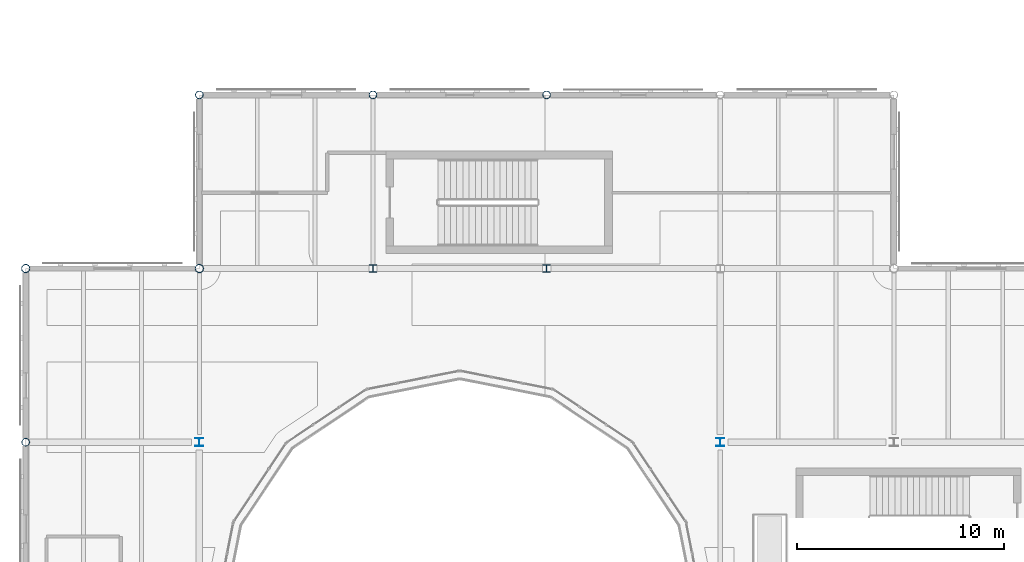
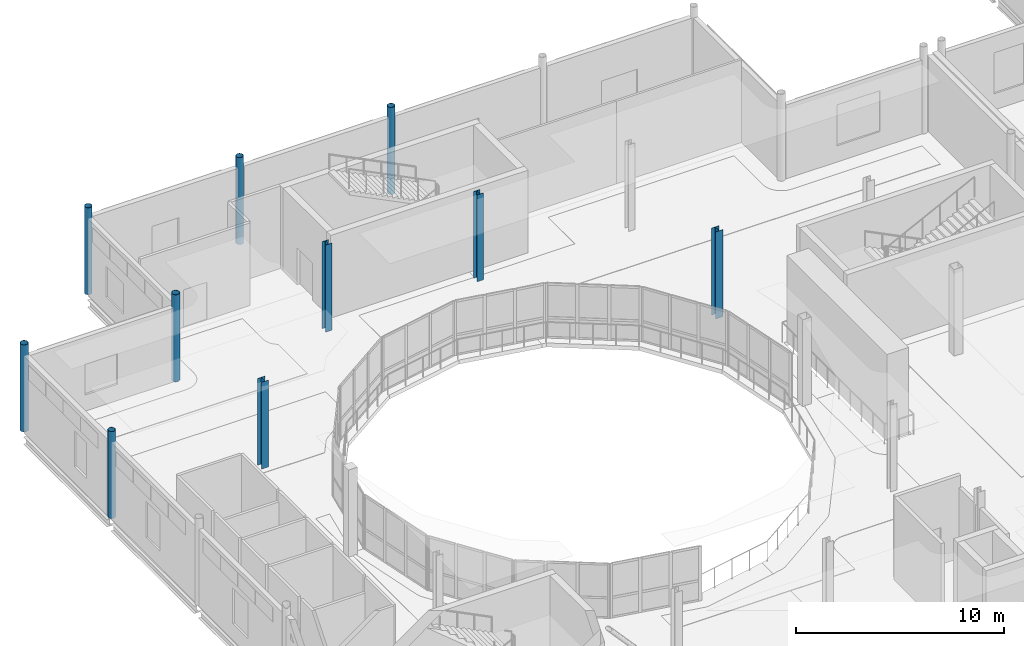
# One storey, part 6 of 104: 10 columns.
"""IFC4 building model written with IfcOpenShell, lengths in metres."""

from ifc_helpers import new_model, si_unit, direction, frame, origin, origin_2d, place, context, subcontext, project, spatial, hollow_circle, i_section, extrude, material, material_profile, profile_set, type_object, element, save


model = new_model("IFC4")

# Units and contexts
model_context = context("Model", 3, precision=1e-05, world=origin(), true_north=direction((0.0, 1.0)))
body_context = subcontext(model_context, "Body", "Model", "MODEL_VIEW")
ifc_project = project(units=[si_unit("LENGTHUNIT", "METRE"), si_unit("AREAUNIT", "SQUARE_METRE"), si_unit("VOLUMEUNIT", "CUBIC_METRE"), si_unit("PLANEANGLEUNIT", "RADIAN"), si_unit("MASSUNIT", "GRAM", prefix="KILO"), si_unit("THERMODYNAMICTEMPERATUREUNIT", "KELVIN")], contexts=[model_context])

# Site, building, storey
site_placement = place(None, origin())
site = spatial("IfcSite", under=ifc_project, at=site_placement, CompositionType="ELEMENT")
building_placement = place(site_placement, origin())
building = spatial("IfcBuilding", under=site, at=building_placement, Name="Lustrewick Department Store", CompositionType="ELEMENT")
storey_placement = place(building_placement, frame((0.0, 0.0, 11.39990234375)))
storey = spatial("IfcBuildingStorey", under=building, at=storey_placement, Name="L03", CompositionType="ELEMENT", Elevation=11.39990234375)

# Columns
ifc_material_1 = material(Name="Structural steel Q355B", Category="steel")
ifc_material_profile_1 = material_profile(ifc_material_1, i_section(OverallWidth=0.402099609375, OverallDepth=0.387939453125, WebThickness=0.014892578125, FlangeThickness=0.014892578125, FilletRadius=0.02197265625, at=origin_2d()), Name="HW 388x402x15x15")
ifc_profile_set_1 = profile_set([ifc_material_profile_1], Name="Structural steel Q355B")
column_type_1 = type_object("IfcColumnType", Name="C12", PredefinedType="COLUMN", material=ifc_profile_set_1)
for number, where, z_axis, x_axis, name in (
    (1, (16.800048828125, 75.60009765625, 0.0), (0.0, 0.0, 1.0), (1.0, 0.0, 0.0), "L03 V1 Column C12"),
    (2, (42.0, 75.60009765625, 0.0), (0.0, 0.0, 1.0), (1.0, 0.0, 0.0), "L03 V1 Column C12"),
):
    element("IfcColumn", number, at=place(storey_placement, frame(where, z_axis=z_axis, x_axis=x_axis)), inside=storey, type_object=column_type_1, Name=name, PredefinedType="COLUMN", context=body_context, shape_type="SweptSolid", body=[
        extrude(i_section(OverallWidth=0.402099609375, OverallDepth=0.387939453125, WebThickness=0.014892578125, FlangeThickness=0.014892578125, FilletRadius=0.02197265625, at=origin_2d()), origin(), (0.0, 0.0, 1.0), 5.10009765625),
    ])
ifc_material_profile_2 = material_profile(ifc_material_1, i_section(OverallWidth=0.35009765625, OverallDepth=0.35009765625, WebThickness=0.011962890625, FlangeThickness=0.01904296875, FilletRadius=0.02001953125, at=origin_2d()), Name="HW 350x350x12x19")
ifc_profile_set_2 = profile_set([ifc_material_profile_2], Name="Structural steel Q355B")
column_type_2 = type_object("IfcColumnType", Name="C13", PredefinedType="COLUMN", material=ifc_profile_set_2)
for number, where, z_axis, x_axis, name in (
    (3, (25.199951171875, 84.0, 0.0), (0.0, 0.0, 1.0), (1.0, 0.0, 0.0), "L03 V1 Column C13"),
    (4, (33.60009765625, 84.0, 0.0), (0.0, 0.0, 1.0), (1.0, 0.0, 0.0), "L03 V1 Column C13"),
):
    element("IfcColumn", number, at=place(storey_placement, frame(where, z_axis=z_axis, x_axis=x_axis)), inside=storey, type_object=column_type_2, Name=name, PredefinedType="COLUMN", context=body_context, shape_type="SweptSolid", body=[
        extrude(i_section(OverallWidth=0.35009765625, OverallDepth=0.35009765625, WebThickness=0.011962890625, FlangeThickness=0.01904296875, FilletRadius=0.02001953125, at=origin_2d()), origin(), (0.0, 0.0, 1.0), 5.10009765625),
    ])
ifc_material_2 = material(Name="Structural steel Q355C", Category="steel")
ifc_material_profile_3 = material_profile(ifc_material_2, hollow_circle(Radius=0.202880859375, WallThickness=0.01611328125, at=origin_2d()), Name="CHS 406x16")
ifc_profile_set_3 = profile_set([ifc_material_profile_3], Name="Structural steel Q355C")
column_type_3 = type_object("IfcColumnType", Name="CE03", PredefinedType="COLUMN", material=ifc_profile_set_3)
for number, where, z_axis, x_axis, name in (
    (5, (8.39990234375, 84.0, 0.0), (0.0, 0.0, 1.0), (1.0, 0.0, 0.0), "L03 V1 Column CE03"),
    (6, (16.800048828125, 84.0, 0.0), (0.0, 0.0, 1.0), (1.0, 0.0, 0.0), "L03 V1 Column CE03"),
):
    element("IfcColumn", number, at=place(storey_placement, frame(where, z_axis=z_axis, x_axis=x_axis)), inside=storey, type_object=column_type_3, Name=name, PredefinedType="COLUMN", context=body_context, shape_type="SweptSolid", body=[
        extrude(hollow_circle(Radius=0.202880859375, WallThickness=0.01611328125, at=origin_2d()), origin(), (0.0, 0.0, 1.0), 5.10009765625),
    ])
ifc_material_profile_4 = material_profile(ifc_material_1, hollow_circle(Radius=0.1884765625, WallThickness=0.013916015625, at=origin_2d()), Name="CHS 377x14")
ifc_profile_set_4 = profile_set([ifc_material_profile_4], Name="Structural steel Q355B")
column_type_4 = type_object("IfcColumnType", Name="CE04", PredefinedType="COLUMN", material=ifc_profile_set_4)
for number, where, z_axis, x_axis, name in (
    (7, (8.39990234375, 75.60009765625, 0.0), (0.0, 0.0, 1.0), (1.0, 0.0, 0.0), "L03 V1 Column CE04"),
    (8, (16.800048828125, 92.39990234375, 0.0), (0.0, 0.0, 1.0), (1.0, 0.0, 0.0), "L03 V1 Column CE04"),
    (9, (25.199951171875, 92.39990234375, 0.0), (0.0, 0.0, 1.0), (1.0, 0.0, 0.0), "L03 V1 Column CE04"),
    (10, (33.60009765625, 92.39990234375, 0.0), (0.0, 0.0, 1.0), (1.0, 0.0, 0.0), "L03 V1 Column CE04"),
):
    element("IfcColumn", number, at=place(storey_placement, frame(where, z_axis=z_axis, x_axis=x_axis)), inside=storey, type_object=column_type_4, Name=name, PredefinedType="COLUMN", context=body_context, shape_type="SweptSolid", body=[
        extrude(hollow_circle(Radius=0.1884765625, WallThickness=0.013916015625, at=origin_2d()), origin(), (0.0, 0.0, 1.0), 5.10009765625),
    ])

save(model, "model.ifc")
